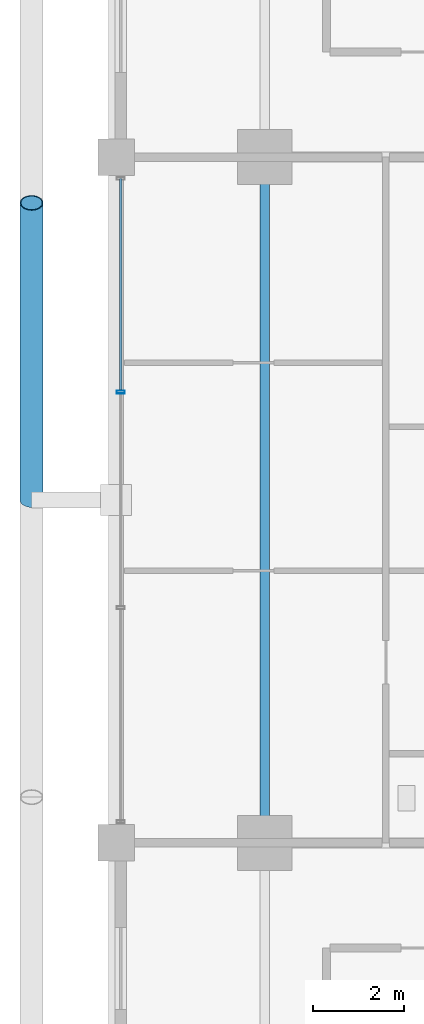
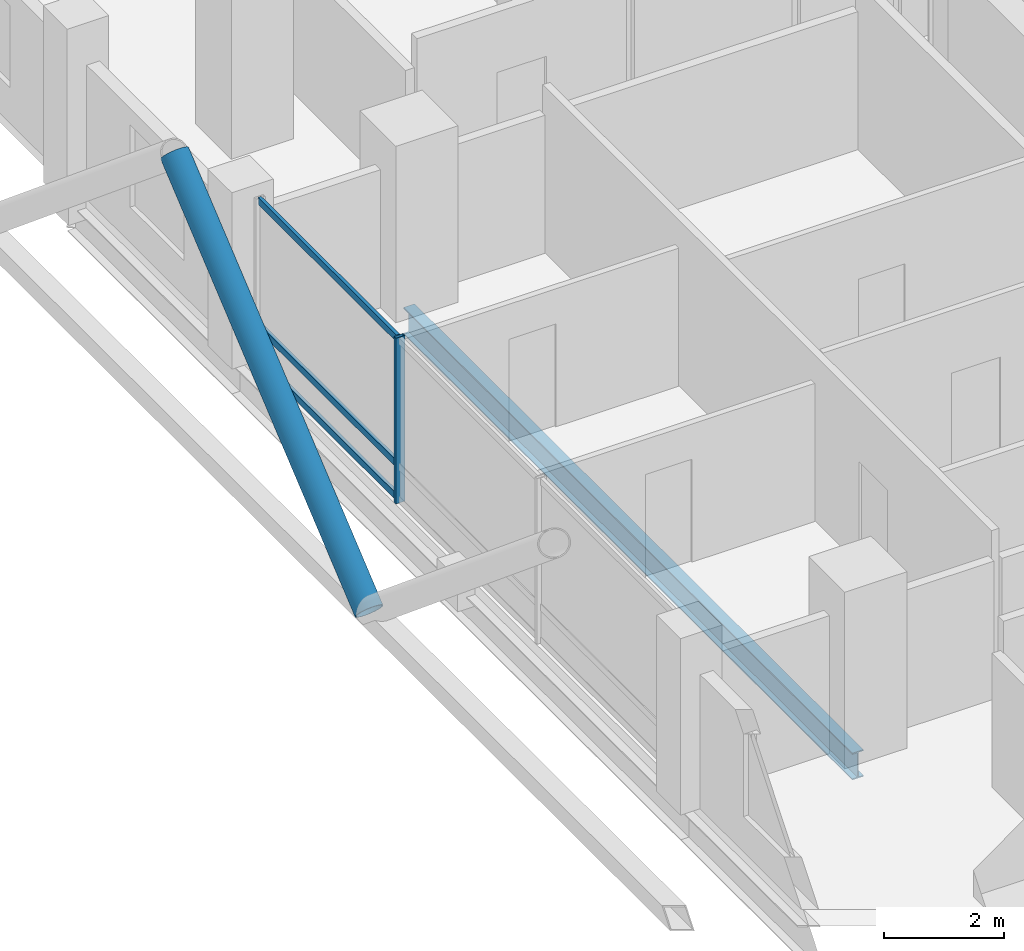
# One storey, part 7 of 25: 5 members, 1 beam, 1 element without a shape of its own.
"""IFC4 building model written with IfcOpenShell, lengths in metres."""

from ifc_helpers import new_model, si_unit, direction, frame, origin, origin_2d, place, context, subcontext, project, spatial, hollow_rectangle, hollow_circle, i_section, extrude, material, layer, layer_set, material_profile, profile_set, type_object, element, aggregate, save


model = new_model("IFC4")

# Units and contexts
model_context = context("Model", 3, precision=1e-05, world=origin(), true_north=direction((0.0, 1.0)))
body_context = subcontext(model_context, "Body", "Model", "MODEL_VIEW")
ifc_project = project(units=[si_unit("LENGTHUNIT", "METRE"), si_unit("AREAUNIT", "SQUARE_METRE"), si_unit("VOLUMEUNIT", "CUBIC_METRE"), si_unit("PLANEANGLEUNIT", "RADIAN"), si_unit("MASSUNIT", "GRAM", prefix="KILO")], contexts=[model_context])

# Site, building, storey
site_placement = place(None, origin())
site = spatial("IfcSite", under=ifc_project, at=site_placement, CompositionType="ELEMENT")
building_placement = place(site_placement, origin())
building = spatial("IfcBuilding", under=site, at=building_placement, Name="Barlavira Tower and Art Museum", CompositionType="ELEMENT")
storey_placement = place(building_placement, frame((0.0, 0.0, 133.199951171875)))
storey = spatial("IfcBuildingStorey", under=building, at=storey_placement, Name="L33", CompositionType="ELEMENT", Elevation=133.199951171875)

# Curtain wall, members
ifc_material_1 = material(Name="Low-iron coastal laminated glass", Category="glass")
ifc_layer = layer(ifc_material_1, 0.18994140625, Name="Low-iron coastal laminated glass")
ifc_layer_set = layer_set([ifc_layer], Name="Low-iron coastal laminated glass")
curtain_wall_type = type_object("IfcCurtainWallType", Name="Pale-Metal Unitised Curtain Wall Zone 2", PredefinedType="NOTDEFINED", material=ifc_layer_set)
curtain_wall_placement = place(storey_placement, origin())
curtain_wall = element("IfcCurtainWall", 1, at=curtain_wall_placement, inside=storey, type_object=curtain_wall_type, Name="L33 Curtain Wall CW2-L33-W-B3", PredefinedType="NOTDEFINED")
ifc_material_2 = material(Name="Pale anodised aluminium", Category="aluminium")
ifc_material_profile_1 = material_profile(ifc_material_2, hollow_rectangle(XDim=0.06494140625, YDim=0.179931640625, WallThickness=0.00390625, at=origin_2d()), Name="ALU-MULL 65x180x4")
ifc_profile_set_1 = profile_set([ifc_material_profile_1], Name="Pale anodised aluminium")
member_type_1 = type_object("IfcMemberType", Name="Curtain Wall Pale-Metal Mullion 65x180", PredefinedType="MULLION", material=ifc_profile_set_1)
member_1_placement = place(storey_placement, frame((-20.14990234375, 2.360107421875, 0.0), z_axis=(0.0, 0.0, 1.0), x_axis=(0.0, -1.0, 0.0)))
member_1 = element("IfcMember", 2, at=member_1_placement, type_object=member_type_1, Name="CW2-L33-W-B3 Mullion 1", PredefinedType="MULLION", context=body_context, shape_type="SweptSolid", body=[
    extrude(hollow_rectangle(XDim=0.06494140625, YDim=0.179931640625, WallThickness=0.00390625, at=origin_2d()), origin(), (0.0, 0.0, 1.0), 3.380126953125),
])
ifc_material_profile_2 = material_profile(ifc_material_2, hollow_rectangle(XDim=0.06494140625, YDim=0.139892578125, WallThickness=0.00390625, at=origin_2d()), Name="ALU-TRAN 65x140x4")
ifc_profile_set_2 = profile_set([ifc_material_profile_2], Name="Pale anodised aluminium")
member_type_2 = type_object("IfcMemberType", Name="Curtain Wall Pale-Metal Transom 65x140", PredefinedType="USERDEFINED", material=ifc_profile_set_2)
member_2_placement = place(storey_placement, frame((-20.14990234375, 7.034912109375, 0.070068359375), z_axis=(0.0, -1.0, 0.0), x_axis=(1.0, 0.0, 0.0)))
member_2 = element("IfcMember", 3, at=member_2_placement, type_object=member_type_2, Name="CW2-L33-W-B3 Transom 0.1", ObjectType="TRANSOM", PredefinedType="USERDEFINED", context=body_context, shape_type="SweptSolid", body=[
    extrude(hollow_rectangle(XDim=0.06494140625, YDim=0.139892578125, WallThickness=0.00390625, at=origin_2d()), origin(), (0.0, 0.0, 1.0), 4.6298828125),
])
member_3_placement = place(storey_placement, frame((-20.14990234375, 7.034912109375, 0.744140625), z_axis=(0.0, -1.0, 0.0), x_axis=(1.0, 0.0, 0.0)))
member_3 = element("IfcMember", 4, at=member_3_placement, type_object=member_type_2, Name="CW2-L33-W-B3 Transom 0.2", ObjectType="TRANSOM", PredefinedType="USERDEFINED", context=body_context, shape_type="SweptSolid", body=[
    extrude(hollow_rectangle(XDim=0.06494140625, YDim=0.139892578125, WallThickness=0.00390625, at=origin_2d()), origin(), (0.0, 0.0, 1.0), 4.6298828125),
])
member_4_placement = place(storey_placement, frame((-20.14990234375, 7.034912109375, 3.31005859375), z_axis=(0.0, -1.0, 0.0), x_axis=(1.0, 0.0, 0.0)))
member_4 = element("IfcMember", 5, at=member_4_placement, type_object=member_type_2, Name="CW2-L33-W-B3 Transom 0.3", ObjectType="TRANSOM", PredefinedType="USERDEFINED", context=body_context, shape_type="SweptSolid", body=[
    extrude(hollow_rectangle(XDim=0.06494140625, YDim=0.139892578125, WallThickness=0.00390625, at=origin_2d()), origin(), (0.0, 0.0, 1.0), 4.6298828125),
])
aggregate(curtain_wall, [member_1, member_2, member_3, member_4])

# Member
ifc_material_3 = material(Name="Steel S355", Category="steel")
ifc_material_profile_3 = material_profile(ifc_material_3, hollow_circle(Radius=0.25390625, WallThickness=0.022216796875, at=origin_2d()), Name="CHS 508.0x22.2")
ifc_profile_set_3 = profile_set([ifc_material_profile_3], Name="Steel S355")
member_type_3 = type_object("IfcMemberType", Name="Pale-Metal Exoskeleton Diagrid Tube CHS 508x22 Steel S355", PredefinedType="BRACE", material=ifc_profile_set_3)
member_5_placement = place(storey_placement, frame((-22.10009765625, 0.0, -0.119873046875), z_axis=(0.0, 0.769196053329, 0.639012857104), x_axis=(-1.0, 0.0, 0.0)))
element("IfcMember", 6, at=member_5_placement, inside=storey, type_object=member_type_3, Name="L33 Exoskeleton Diagrid Tube W", PredefinedType="BRACE", context=body_context, shape_type="SweptSolid", body=[
    extrude(hollow_circle(Radius=0.25390625, WallThickness=0.022216796875, at=origin_2d()), origin(), (0.0, 0.0, 1.0), 8.450439453125),
])

# Beam
ifc_material_profile_4 = material_profile(ifc_material_3, i_section(OverallWidth=0.214111328125, OverallDepth=0.549072265625, WebThickness=0.0146484375, FlangeThickness=0.023681640625, at=origin_2d()), Name="W530x138.0")
ifc_profile_set_4 = profile_set([ifc_material_profile_4], Name="Steel S355")
beam_type = type_object("IfcBeamType", Name="Zone 1 Primary Floor Girder W530x138 Steel S355", PredefinedType="BEAM", material=ifc_profile_set_4)
beam_placement = place(storey_placement, frame((-17.0, -7.5, -0.494384765625), z_axis=(0.0, 1.0, 0.0), x_axis=(-1.0, 0.0, 0.0)))
element("IfcBeam", 7, at=beam_placement, inside=storey, type_object=beam_type, Name="L33 Girder M-W2", PredefinedType="BEAM", context=body_context, shape_type="SweptSolid", body=[
    extrude(i_section(OverallWidth=0.214111328125, OverallDepth=0.549072265625, WebThickness=0.0146484375, FlangeThickness=0.023681640625, at=origin_2d()), origin(), (0.0, 0.0, 1.0), 15.0),
])

save(model, "model.ifc")
